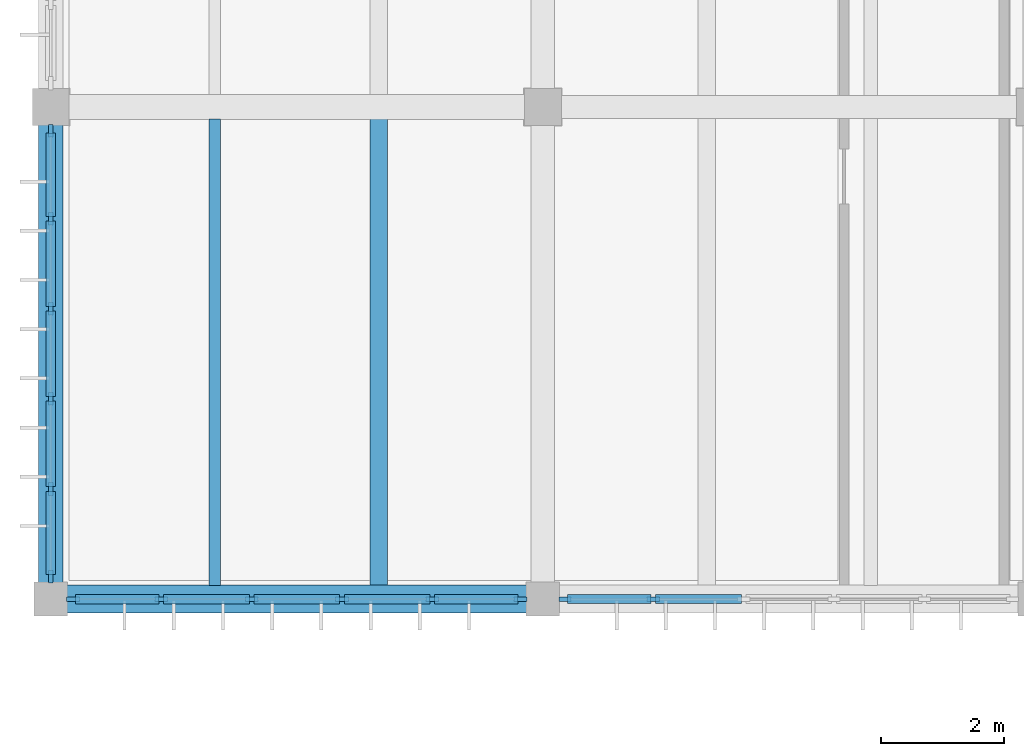
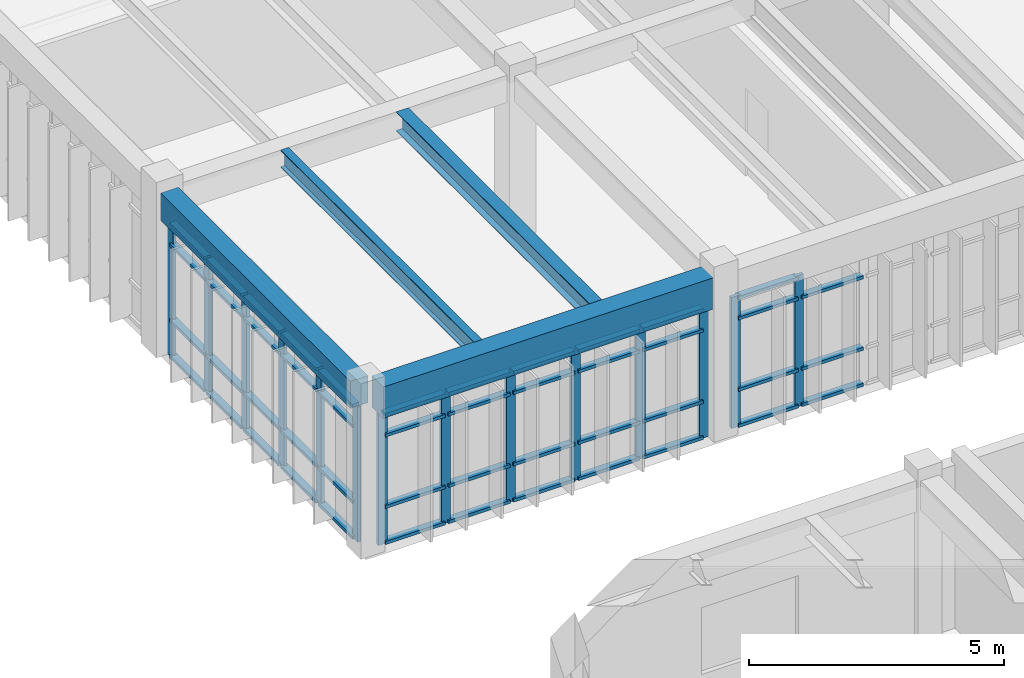
# One storey, part 7 of 67: 61 members, 4 beams, 3 elements without a shape of their own.
"""IFC4 building model written with IfcOpenShell, lengths in metres."""

from ifc_helpers import new_model, si_unit, direction, frame, origin, origin_2d, place, context, subcontext, project, spatial, rectangle, i_section, extrude, material, material_profile, profile_set, type_object, element, aggregate, save


model = new_model("IFC4")

# Units and contexts
model_context = context("Model", 3, precision=1e-05, world=origin(), true_north=direction((0.0, 1.0)))
body_context = subcontext(model_context, "Body", "Model", "MODEL_VIEW")
ifc_project = project(units=[si_unit("LENGTHUNIT", "METRE"), si_unit("AREAUNIT", "SQUARE_METRE"), si_unit("VOLUMEUNIT", "CUBIC_METRE"), si_unit("PLANEANGLEUNIT", "RADIAN"), si_unit("MASSUNIT", "GRAM", prefix="KILO")], contexts=[model_context])

# Site, building, storey
site_placement = place(None, origin())
site = spatial("IfcSite", under=ifc_project, at=site_placement, CompositionType="ELEMENT")
building_placement = place(site_placement, origin())
building = spatial("IfcBuilding", under=site, at=building_placement, Name="Tlaxcora Railside Police Headquarters", CompositionType="ELEMENT")
storey_placement = place(building_placement, frame((0.0, 0.0, 4.800048828125)))
storey = spatial("IfcBuildingStorey", under=building, at=storey_placement, Name="L01", CompositionType="ELEMENT", Elevation=4.800048828125)

# Curtain wall, members
ifc_material_1 = material(Name="Thermally broken low-E insulated glazing", Category="glass")
curtain_wall_type_1 = type_object("IfcCurtainWallType", Name="Unitised Curtain Wall Assembly CW-38", PredefinedType="NOTDEFINED", material=ifc_material_1)
curtain_wall_1_placement = place(storey_placement, origin())
curtain_wall_1 = element("IfcCurtainWall", 1, at=curtain_wall_1_placement, inside=storey, type_object=curtain_wall_type_1, Name="V5 L01 curtain wall 29", PredefinedType="NOTDEFINED")
ifc_material_2 = material(Name="Anodised aluminium framing", Category="aluminium")
ifc_material_profile_1 = material_profile(ifc_material_2, rectangle(XDim=0.074951171875, YDim=0.205078125, at=origin_2d()), Name="AL75X205")
ifc_profile_set_1 = profile_set([ifc_material_profile_1], Name="Anodised aluminium framing")
member_type_1 = type_object("IfcMemberType", Name="Curtain Wall Mullion CW-32", PredefinedType="MULLION", material=ifc_profile_set_1)
member_1_placement = place(storey_placement, frame((5.5625, 44.0, 0.0), z_axis=(0.0, 0.0, 1.0), x_axis=(0.0, 1.0, 0.0)))
member_1 = element("IfcMember", 2, at=member_1_placement, type_object=member_type_1, Name="CW mullion 1", PredefinedType="MULLION", context=body_context, shape_type="SweptSolid", body=[
    extrude(rectangle(XDim=0.074951171875, YDim=0.205078125, at=origin_2d()), origin(), (0.0, 0.0, 1.0), 3.139892578125),
])
member_2_placement = place(storey_placement, frame((6.9951171875, 44.0, 0.0), z_axis=(0.0, 0.0, 1.0), x_axis=(0.0, 1.0, 0.0)))
member_2 = element("IfcMember", 3, at=member_2_placement, type_object=member_type_1, Name="CW mullion 2", PredefinedType="MULLION", context=body_context, shape_type="SweptSolid", body=[
    extrude(rectangle(XDim=0.074951171875, YDim=0.205078125, at=origin_2d()), origin(), (0.0, 0.0, 1.0), 3.139892578125),
])
member_3_placement = place(storey_placement, frame((8.465087890625, 44.0, 0.0), z_axis=(0.0, 0.0, 1.0), x_axis=(0.0, 1.0, 0.0)))
member_3 = element("IfcMember", 4, at=member_3_placement, type_object=member_type_1, Name="CW mullion 3", PredefinedType="MULLION", context=body_context, shape_type="SweptSolid", body=[
    extrude(rectangle(XDim=0.074951171875, YDim=0.205078125, at=origin_2d()), origin(), (0.0, 0.0, 1.0), 3.139892578125),
])
member_4_placement = place(storey_placement, frame((9.93505859375, 44.0, 0.0), z_axis=(0.0, 0.0, 1.0), x_axis=(0.0, 1.0, 0.0)))
member_4 = element("IfcMember", 5, at=member_4_placement, type_object=member_type_1, Name="CW mullion 4", PredefinedType="MULLION", context=body_context, shape_type="SweptSolid", body=[
    extrude(rectangle(XDim=0.074951171875, YDim=0.205078125, at=origin_2d()), origin(), (0.0, 0.0, 1.0), 3.139892578125),
])
member_5_placement = place(storey_placement, frame((11.405029296875, 44.0, 0.0), z_axis=(0.0, 0.0, 1.0), x_axis=(0.0, 1.0, 0.0)))
member_5 = element("IfcMember", 6, at=member_5_placement, type_object=member_type_1, Name="CW mullion 5", PredefinedType="MULLION", context=body_context, shape_type="SweptSolid", body=[
    extrude(rectangle(XDim=0.074951171875, YDim=0.205078125, at=origin_2d()), origin(), (0.0, 0.0, 1.0), 3.139892578125),
])
member_6_placement = place(storey_placement, frame((12.83740234375, 44.0, 0.0), z_axis=(0.0, 0.0, 1.0), x_axis=(0.0, 1.0, 0.0)))
member_6 = element("IfcMember", 7, at=member_6_placement, type_object=member_type_1, Name="CW mullion 6", PredefinedType="MULLION", context=body_context, shape_type="SweptSolid", body=[
    extrude(rectangle(XDim=0.074951171875, YDim=0.205078125, at=origin_2d()), origin(), (0.0, 0.0, 1.0), 3.139892578125),
])

curtain_wall_2_placement = place(storey_placement, origin())
curtain_wall_2 = element("IfcCurtainWall", 8, at=curtain_wall_2_placement, inside=storey, type_object=curtain_wall_type_1, Name="V5 L01 curtain wall 49", PredefinedType="NOTDEFINED")
member_7_placement = place(storey_placement, frame((5.199951171875, 51.612548828125, 0.0), z_axis=(0.0, 0.0, 1.0), x_axis=(1.0, 0.0, 0.0)))
member_7 = element("IfcMember", 9, at=member_7_placement, type_object=member_type_1, Name="CW mullion 1", PredefinedType="MULLION", context=body_context, shape_type="SweptSolid", body=[
    extrude(rectangle(XDim=0.074951171875, YDim=0.205078125, at=origin_2d()), origin(), (0.0, 0.0, 1.0), 3.239990234375),
])
member_8_placement = place(storey_placement, frame((5.199951171875, 50.18505859375, 0.0), z_axis=(0.0, 0.0, 1.0), x_axis=(1.0, 0.0, 0.0)))
member_8 = element("IfcMember", 10, at=member_8_placement, type_object=member_type_1, Name="CW mullion 2", PredefinedType="MULLION", context=body_context, shape_type="SweptSolid", body=[
    extrude(rectangle(XDim=0.074951171875, YDim=0.205078125, at=origin_2d()), origin(), (0.0, 0.0, 1.0), 3.239990234375),
])
member_9_placement = place(storey_placement, frame((5.199951171875, 48.719970703125, 0.0), z_axis=(0.0, 0.0, 1.0), x_axis=(1.0, 0.0, 0.0)))
member_9 = element("IfcMember", 11, at=member_9_placement, type_object=member_type_1, Name="CW mullion 3", PredefinedType="MULLION", context=body_context, shape_type="SweptSolid", body=[
    extrude(rectangle(XDim=0.074951171875, YDim=0.205078125, at=origin_2d()), origin(), (0.0, 0.0, 1.0), 3.239990234375),
])
member_10_placement = place(storey_placement, frame((5.199951171875, 47.2548828125, 0.0), z_axis=(0.0, 0.0, 1.0), x_axis=(1.0, 0.0, 0.0)))
member_10 = element("IfcMember", 12, at=member_10_placement, type_object=member_type_1, Name="CW mullion 4", PredefinedType="MULLION", context=body_context, shape_type="SweptSolid", body=[
    extrude(rectangle(XDim=0.074951171875, YDim=0.205078125, at=origin_2d()), origin(), (0.0, 0.0, 1.0), 3.239990234375),
])
member_11_placement = place(storey_placement, frame((5.199951171875, 45.7900390625, 0.0), z_axis=(0.0, 0.0, 1.0), x_axis=(1.0, 0.0, 0.0)))
member_11 = element("IfcMember", 13, at=member_11_placement, type_object=member_type_1, Name="CW mullion 5", PredefinedType="MULLION", context=body_context, shape_type="SweptSolid", body=[
    extrude(rectangle(XDim=0.074951171875, YDim=0.205078125, at=origin_2d()), origin(), (0.0, 0.0, 1.0), 3.239990234375),
])
member_12_placement = place(storey_placement, frame((5.199951171875, 44.362548828125, 0.0), z_axis=(0.0, 0.0, 1.0), x_axis=(1.0, 0.0, 0.0)))
member_12 = element("IfcMember", 14, at=member_12_placement, type_object=member_type_1, Name="CW mullion 6", PredefinedType="MULLION", context=body_context, shape_type="SweptSolid", body=[
    extrude(rectangle(XDim=0.074951171875, YDim=0.205078125, at=origin_2d()), origin(), (0.0, 0.0, 1.0), 3.239990234375),
])

curtain_wall_type_2 = type_object("IfcCurtainWallType", Name="Unitised Curtain Wall Assembly CW-15", PredefinedType="NOTDEFINED", material=ifc_material_1)
curtain_wall_3_placement = place(storey_placement, origin())
curtain_wall_3 = element("IfcCurtainWall", 15, at=curtain_wall_3_placement, inside=storey, type_object=curtain_wall_type_2, Name="V5 L01 curtain wall 30", PredefinedType="NOTDEFINED")
ifc_material_profile_2 = material_profile(ifc_material_2, rectangle(XDim=0.074951171875, YDim=0.199951171875, at=origin_2d()), Name="AL75X200")
ifc_profile_set_2 = profile_set([ifc_material_profile_2], Name="Anodised aluminium framing")
member_type_2 = type_object("IfcMemberType", Name="Curtain Wall Mullion CW-58", PredefinedType="MULLION", material=ifc_profile_set_2)
member_13_placement = place(storey_placement, frame((13.5625, 44.0, 0.0), z_axis=(0.0, 0.0, 1.0), x_axis=(0.0, 1.0, 0.0)))
member_13 = element("IfcMember", 16, at=member_13_placement, type_object=member_type_2, Name="CW mullion 1", PredefinedType="MULLION", context=body_context, shape_type="SweptSolid", body=[
    extrude(rectangle(XDim=0.074951171875, YDim=0.199951171875, at=origin_2d()), origin(), (0.0, 0.0, 1.0), 3.139892578125),
])
member_14_placement = place(storey_placement, frame((14.9951171875, 44.0, 0.0), z_axis=(0.0, 0.0, 1.0), x_axis=(0.0, 1.0, 0.0)))
member_14 = element("IfcMember", 17, at=member_14_placement, type_object=member_type_2, Name="CW mullion 2", PredefinedType="MULLION", context=body_context, shape_type="SweptSolid", body=[
    extrude(rectangle(XDim=0.074951171875, YDim=0.199951171875, at=origin_2d()), origin(), (0.0, 0.0, 1.0), 3.139892578125),
])
ifc_material_profile_3 = material_profile(ifc_material_2, rectangle(XDim=0.14990234375, YDim=0.074951171875, at=origin_2d()), Name="AL75X150")
ifc_profile_set_3 = profile_set([ifc_material_profile_3], Name="Anodised aluminium framing")
member_type_3 = type_object("IfcMemberType", Name="Curtain Wall Transom CW-28", PredefinedType="USERDEFINED", material=ifc_profile_set_3)
member_15_placement = place(storey_placement, frame((13.60009765625, 44.0, 0.037353515625), z_axis=(1.0, 0.0, 0.0), x_axis=(0.0, 1.0, 0.0)))
member_15 = element("IfcMember", 18, at=member_15_placement, type_object=member_type_3, Name="CW transom 1.1", ObjectType="TRANSOM", PredefinedType="USERDEFINED", context=body_context, shape_type="SweptSolid", body=[
    extrude(rectangle(XDim=0.14990234375, YDim=0.074951171875, at=origin_2d()), origin(), (0.0, 0.0, 1.0), 1.357421875),
])
member_16_placement = place(storey_placement, frame((13.60009765625, 44.0, 0.89990234375), z_axis=(1.0, 0.0, 0.0), x_axis=(0.0, 1.0, 0.0)))
member_16 = element("IfcMember", 19, at=member_16_placement, type_object=member_type_3, Name="CW transom 1.2", ObjectType="TRANSOM", PredefinedType="USERDEFINED", context=body_context, shape_type="SweptSolid", body=[
    extrude(rectangle(XDim=0.14990234375, YDim=0.074951171875, at=origin_2d()), origin(), (0.0, 0.0, 1.0), 1.357421875),
])
member_17_placement = place(storey_placement, frame((13.60009765625, 44.0, 2.60986328125), z_axis=(1.0, 0.0, 0.0), x_axis=(0.0, 1.0, 0.0)))
member_17 = element("IfcMember", 20, at=member_17_placement, type_object=member_type_3, Name="CW transom 1.3", ObjectType="TRANSOM", PredefinedType="USERDEFINED", context=body_context, shape_type="SweptSolid", body=[
    extrude(rectangle(XDim=0.14990234375, YDim=0.074951171875, at=origin_2d()), origin(), (0.0, 0.0, 1.0), 1.357421875),
])
member_18_placement = place(storey_placement, frame((13.60009765625, 44.0, 3.1025390625), z_axis=(1.0, 0.0, 0.0), x_axis=(0.0, 1.0, 0.0)))
member_18 = element("IfcMember", 21, at=member_18_placement, type_object=member_type_3, Name="CW transom 1.4", ObjectType="TRANSOM", PredefinedType="USERDEFINED", context=body_context, shape_type="SweptSolid", body=[
    extrude(rectangle(XDim=0.14990234375, YDim=0.074951171875, at=origin_2d()), origin(), (0.0, 0.0, 1.0), 1.357421875),
])
member_19_placement = place(storey_placement, frame((15.032470703125, 44.0, 0.037353515625), z_axis=(1.0, 0.0, 0.0), x_axis=(0.0, 1.0, 0.0)))
member_19 = element("IfcMember", 22, at=member_19_placement, type_object=member_type_3, Name="CW transom 2.1", ObjectType="TRANSOM", PredefinedType="USERDEFINED", context=body_context, shape_type="SweptSolid", body=[
    extrude(rectangle(XDim=0.14990234375, YDim=0.074951171875, at=origin_2d()), origin(), (0.0, 0.0, 1.0), 1.39501953125),
])
member_20_placement = place(storey_placement, frame((15.032470703125, 44.0, 0.89990234375), z_axis=(1.0, 0.0, 0.0), x_axis=(0.0, 1.0, 0.0)))
member_20 = element("IfcMember", 23, at=member_20_placement, type_object=member_type_3, Name="CW transom 2.2", ObjectType="TRANSOM", PredefinedType="USERDEFINED", context=body_context, shape_type="SweptSolid", body=[
    extrude(rectangle(XDim=0.14990234375, YDim=0.074951171875, at=origin_2d()), origin(), (0.0, 0.0, 1.0), 1.39501953125),
])
member_21_placement = place(storey_placement, frame((15.032470703125, 44.0, 2.60986328125), z_axis=(1.0, 0.0, 0.0), x_axis=(0.0, 1.0, 0.0)))
member_21 = element("IfcMember", 24, at=member_21_placement, type_object=member_type_3, Name="CW transom 2.3", ObjectType="TRANSOM", PredefinedType="USERDEFINED", context=body_context, shape_type="SweptSolid", body=[
    extrude(rectangle(XDim=0.14990234375, YDim=0.074951171875, at=origin_2d()), origin(), (0.0, 0.0, 1.0), 1.39501953125),
])
aggregate(curtain_wall_3, [member_13, member_14, member_15, member_16, member_17, member_18, member_19, member_20, member_21])

# Member
ifc_material_profile_4 = material_profile(ifc_material_2, rectangle(XDim=0.155029296875, YDim=0.074951171875, at=origin_2d()), Name="AL75X155")
ifc_profile_set_4 = profile_set([ifc_material_profile_4], Name="Anodised aluminium framing")
member_type_4 = type_object("IfcMemberType", Name="Curtain Wall Transom CW-30", PredefinedType="USERDEFINED", material=ifc_profile_set_4)
member_22_placement = place(storey_placement, frame((5.60009765625, 44.0, 0.037353515625), z_axis=(1.0, 0.0, 0.0), x_axis=(0.0, 1.0, 0.0)))
member_22 = element("IfcMember", 25, at=member_22_placement, type_object=member_type_4, Name="CW transom 1.1", ObjectType="TRANSOM", PredefinedType="USERDEFINED", context=body_context, shape_type="SweptSolid", body=[
    extrude(rectangle(XDim=0.155029296875, YDim=0.074951171875, at=origin_2d()), origin(), (0.0, 0.0, 1.0), 1.357421875),
])

member_23_placement = place(storey_placement, frame((5.60009765625, 44.0, 0.89990234375), z_axis=(1.0, 0.0, 0.0), x_axis=(0.0, 1.0, 0.0)))
member_23 = element("IfcMember", 26, at=member_23_placement, type_object=member_type_4, Name="CW transom 1.2", ObjectType="TRANSOM", PredefinedType="USERDEFINED", context=body_context, shape_type="SweptSolid", body=[
    extrude(rectangle(XDim=0.155029296875, YDim=0.074951171875, at=origin_2d()), origin(), (0.0, 0.0, 1.0), 1.357421875),
])

member_24_placement = place(storey_placement, frame((5.60009765625, 44.0, 2.60986328125), z_axis=(1.0, 0.0, 0.0), x_axis=(0.0, 1.0, 0.0)))
member_24 = element("IfcMember", 27, at=member_24_placement, type_object=member_type_4, Name="CW transom 1.3", ObjectType="TRANSOM", PredefinedType="USERDEFINED", context=body_context, shape_type="SweptSolid", body=[
    extrude(rectangle(XDim=0.155029296875, YDim=0.074951171875, at=origin_2d()), origin(), (0.0, 0.0, 1.0), 1.357421875),
])

member_25_placement = place(storey_placement, frame((5.60009765625, 44.0, 3.1025390625), z_axis=(1.0, 0.0, 0.0), x_axis=(0.0, 1.0, 0.0)))
member_25 = element("IfcMember", 28, at=member_25_placement, type_object=member_type_4, Name="CW transom 1.4", ObjectType="TRANSOM", PredefinedType="USERDEFINED", context=body_context, shape_type="SweptSolid", body=[
    extrude(rectangle(XDim=0.155029296875, YDim=0.074951171875, at=origin_2d()), origin(), (0.0, 0.0, 1.0), 1.357421875),
])

member_26_placement = place(storey_placement, frame((7.032470703125, 44.0, 0.037353515625), z_axis=(1.0, 0.0, 0.0), x_axis=(0.0, 1.0, 0.0)))
member_26 = element("IfcMember", 29, at=member_26_placement, type_object=member_type_4, Name="CW transom 2.1", ObjectType="TRANSOM", PredefinedType="USERDEFINED", context=body_context, shape_type="SweptSolid", body=[
    extrude(rectangle(XDim=0.155029296875, YDim=0.074951171875, at=origin_2d()), origin(), (0.0, 0.0, 1.0), 1.39501953125),
])

member_27_placement = place(storey_placement, frame((7.032470703125, 44.0, 0.89990234375), z_axis=(1.0, 0.0, 0.0), x_axis=(0.0, 1.0, 0.0)))
member_27 = element("IfcMember", 30, at=member_27_placement, type_object=member_type_4, Name="CW transom 2.2", ObjectType="TRANSOM", PredefinedType="USERDEFINED", context=body_context, shape_type="SweptSolid", body=[
    extrude(rectangle(XDim=0.155029296875, YDim=0.074951171875, at=origin_2d()), origin(), (0.0, 0.0, 1.0), 1.39501953125),
])

member_28_placement = place(storey_placement, frame((7.032470703125, 44.0, 2.60986328125), z_axis=(1.0, 0.0, 0.0), x_axis=(0.0, 1.0, 0.0)))
member_28 = element("IfcMember", 31, at=member_28_placement, type_object=member_type_4, Name="CW transom 2.3", ObjectType="TRANSOM", PredefinedType="USERDEFINED", context=body_context, shape_type="SweptSolid", body=[
    extrude(rectangle(XDim=0.155029296875, YDim=0.074951171875, at=origin_2d()), origin(), (0.0, 0.0, 1.0), 1.39501953125),
])

member_29_placement = place(storey_placement, frame((7.032470703125, 44.0, 3.1025390625), z_axis=(1.0, 0.0, 0.0), x_axis=(0.0, 1.0, 0.0)))
member_29 = element("IfcMember", 32, at=member_29_placement, type_object=member_type_4, Name="CW transom 2.4", ObjectType="TRANSOM", PredefinedType="USERDEFINED", context=body_context, shape_type="SweptSolid", body=[
    extrude(rectangle(XDim=0.155029296875, YDim=0.074951171875, at=origin_2d()), origin(), (0.0, 0.0, 1.0), 1.39501953125),
])

member_30_placement = place(storey_placement, frame((8.50244140625, 44.0, 0.037353515625), z_axis=(1.0, 0.0, 0.0), x_axis=(0.0, 1.0, 0.0)))
member_30 = element("IfcMember", 33, at=member_30_placement, type_object=member_type_4, Name="CW transom 3.1", ObjectType="TRANSOM", PredefinedType="USERDEFINED", context=body_context, shape_type="SweptSolid", body=[
    extrude(rectangle(XDim=0.155029296875, YDim=0.074951171875, at=origin_2d()), origin(), (0.0, 0.0, 1.0), 1.39501953125),
])

member_31_placement = place(storey_placement, frame((8.50244140625, 44.0, 0.89990234375), z_axis=(1.0, 0.0, 0.0), x_axis=(0.0, 1.0, 0.0)))
member_31 = element("IfcMember", 34, at=member_31_placement, type_object=member_type_4, Name="CW transom 3.2", ObjectType="TRANSOM", PredefinedType="USERDEFINED", context=body_context, shape_type="SweptSolid", body=[
    extrude(rectangle(XDim=0.155029296875, YDim=0.074951171875, at=origin_2d()), origin(), (0.0, 0.0, 1.0), 1.39501953125),
])

member_32_placement = place(storey_placement, frame((8.50244140625, 44.0, 2.60986328125), z_axis=(1.0, 0.0, 0.0), x_axis=(0.0, 1.0, 0.0)))
member_32 = element("IfcMember", 35, at=member_32_placement, type_object=member_type_4, Name="CW transom 3.3", ObjectType="TRANSOM", PredefinedType="USERDEFINED", context=body_context, shape_type="SweptSolid", body=[
    extrude(rectangle(XDim=0.155029296875, YDim=0.074951171875, at=origin_2d()), origin(), (0.0, 0.0, 1.0), 1.39501953125),
])

member_33_placement = place(storey_placement, frame((8.50244140625, 44.0, 3.1025390625), z_axis=(1.0, 0.0, 0.0), x_axis=(0.0, 1.0, 0.0)))
member_33 = element("IfcMember", 36, at=member_33_placement, type_object=member_type_4, Name="CW transom 3.4", ObjectType="TRANSOM", PredefinedType="USERDEFINED", context=body_context, shape_type="SweptSolid", body=[
    extrude(rectangle(XDim=0.155029296875, YDim=0.074951171875, at=origin_2d()), origin(), (0.0, 0.0, 1.0), 1.39501953125),
])

member_34_placement = place(storey_placement, frame((9.972412109375, 44.0, 0.037353515625), z_axis=(1.0, 0.0, 0.0), x_axis=(0.0, 1.0, 0.0)))
member_34 = element("IfcMember", 37, at=member_34_placement, type_object=member_type_4, Name="CW transom 4.1", ObjectType="TRANSOM", PredefinedType="USERDEFINED", context=body_context, shape_type="SweptSolid", body=[
    extrude(rectangle(XDim=0.155029296875, YDim=0.074951171875, at=origin_2d()), origin(), (0.0, 0.0, 1.0), 1.39501953125),
])

member_35_placement = place(storey_placement, frame((9.972412109375, 44.0, 0.89990234375), z_axis=(1.0, 0.0, 0.0), x_axis=(0.0, 1.0, 0.0)))
member_35 = element("IfcMember", 38, at=member_35_placement, type_object=member_type_4, Name="CW transom 4.2", ObjectType="TRANSOM", PredefinedType="USERDEFINED", context=body_context, shape_type="SweptSolid", body=[
    extrude(rectangle(XDim=0.155029296875, YDim=0.074951171875, at=origin_2d()), origin(), (0.0, 0.0, 1.0), 1.39501953125),
])

member_36_placement = place(storey_placement, frame((9.972412109375, 44.0, 2.60986328125), z_axis=(1.0, 0.0, 0.0), x_axis=(0.0, 1.0, 0.0)))
member_36 = element("IfcMember", 39, at=member_36_placement, type_object=member_type_4, Name="CW transom 4.3", ObjectType="TRANSOM", PredefinedType="USERDEFINED", context=body_context, shape_type="SweptSolid", body=[
    extrude(rectangle(XDim=0.155029296875, YDim=0.074951171875, at=origin_2d()), origin(), (0.0, 0.0, 1.0), 1.39501953125),
])

member_37_placement = place(storey_placement, frame((9.972412109375, 44.0, 3.1025390625), z_axis=(1.0, 0.0, 0.0), x_axis=(0.0, 1.0, 0.0)))
member_37 = element("IfcMember", 40, at=member_37_placement, type_object=member_type_4, Name="CW transom 4.4", ObjectType="TRANSOM", PredefinedType="USERDEFINED", context=body_context, shape_type="SweptSolid", body=[
    extrude(rectangle(XDim=0.155029296875, YDim=0.074951171875, at=origin_2d()), origin(), (0.0, 0.0, 1.0), 1.39501953125),
])

member_38_placement = place(storey_placement, frame((11.4423828125, 44.0, 0.037353515625), z_axis=(1.0, 0.0, 0.0), x_axis=(0.0, 1.0, 0.0)))
member_38 = element("IfcMember", 41, at=member_38_placement, type_object=member_type_4, Name="CW transom 5.1", ObjectType="TRANSOM", PredefinedType="USERDEFINED", context=body_context, shape_type="SweptSolid", body=[
    extrude(rectangle(XDim=0.155029296875, YDim=0.074951171875, at=origin_2d()), origin(), (0.0, 0.0, 1.0), 1.357666015625),
])

member_39_placement = place(storey_placement, frame((11.4423828125, 44.0, 0.89990234375), z_axis=(1.0, 0.0, 0.0), x_axis=(0.0, 1.0, 0.0)))
member_39 = element("IfcMember", 42, at=member_39_placement, type_object=member_type_4, Name="CW transom 5.2", ObjectType="TRANSOM", PredefinedType="USERDEFINED", context=body_context, shape_type="SweptSolid", body=[
    extrude(rectangle(XDim=0.155029296875, YDim=0.074951171875, at=origin_2d()), origin(), (0.0, 0.0, 1.0), 1.357666015625),
])

member_40_placement = place(storey_placement, frame((11.4423828125, 44.0, 2.60986328125), z_axis=(1.0, 0.0, 0.0), x_axis=(0.0, 1.0, 0.0)))
member_40 = element("IfcMember", 43, at=member_40_placement, type_object=member_type_4, Name="CW transom 5.3", ObjectType="TRANSOM", PredefinedType="USERDEFINED", context=body_context, shape_type="SweptSolid", body=[
    extrude(rectangle(XDim=0.155029296875, YDim=0.074951171875, at=origin_2d()), origin(), (0.0, 0.0, 1.0), 1.357666015625),
])

member_41_placement = place(storey_placement, frame((11.4423828125, 44.0, 3.1025390625), z_axis=(1.0, 0.0, 0.0), x_axis=(0.0, 1.0, 0.0)))
member_41 = element("IfcMember", 44, at=member_41_placement, type_object=member_type_4, Name="CW transom 5.4", ObjectType="TRANSOM", PredefinedType="USERDEFINED", context=body_context, shape_type="SweptSolid", body=[
    extrude(rectangle(XDim=0.155029296875, YDim=0.074951171875, at=origin_2d()), origin(), (0.0, 0.0, 1.0), 1.357666015625),
])

aggregate(curtain_wall_1, [member_1, member_2, member_3, member_4, member_5, member_6, member_22, member_23, member_24, member_25, member_26, member_27, member_28, member_29, member_30, member_31, member_32, member_33, member_34, member_35, member_36, member_37, member_38, member_39, member_40, member_41])

member_42_placement = place(storey_placement, frame((5.199951171875, 51.574951171875, 0.037353515625), z_axis=(0.0, -1.0, 0.0), x_axis=(1.0, 0.0, 0.0)))
member_42 = element("IfcMember", 45, at=member_42_placement, type_object=member_type_4, Name="CW transom 1.1", ObjectType="TRANSOM", PredefinedType="USERDEFINED", context=body_context, shape_type="SweptSolid", body=[
    extrude(rectangle(XDim=0.155029296875, YDim=0.074951171875, at=origin_2d()), origin(), (0.0, 0.0, 1.0), 1.3525390625),
])

member_43_placement = place(storey_placement, frame((5.199951171875, 51.574951171875, 0.89990234375), z_axis=(0.0, -1.0, 0.0), x_axis=(1.0, 0.0, 0.0)))
member_43 = element("IfcMember", 46, at=member_43_placement, type_object=member_type_4, Name="CW transom 1.2", ObjectType="TRANSOM", PredefinedType="USERDEFINED", context=body_context, shape_type="SweptSolid", body=[
    extrude(rectangle(XDim=0.155029296875, YDim=0.074951171875, at=origin_2d()), origin(), (0.0, 0.0, 1.0), 1.3525390625),
])

member_44_placement = place(storey_placement, frame((5.199951171875, 51.574951171875, 2.7099609375), z_axis=(0.0, -1.0, 0.0), x_axis=(1.0, 0.0, 0.0)))
member_44 = element("IfcMember", 47, at=member_44_placement, type_object=member_type_4, Name="CW transom 1.3", ObjectType="TRANSOM", PredefinedType="USERDEFINED", context=body_context, shape_type="SweptSolid", body=[
    extrude(rectangle(XDim=0.155029296875, YDim=0.074951171875, at=origin_2d()), origin(), (0.0, 0.0, 1.0), 1.3525390625),
])

member_45_placement = place(storey_placement, frame((5.199951171875, 51.574951171875, 3.202392578125), z_axis=(0.0, -1.0, 0.0), x_axis=(1.0, 0.0, 0.0)))
member_45 = element("IfcMember", 48, at=member_45_placement, type_object=member_type_4, Name="CW transom 1.4", ObjectType="TRANSOM", PredefinedType="USERDEFINED", context=body_context, shape_type="SweptSolid", body=[
    extrude(rectangle(XDim=0.155029296875, YDim=0.074951171875, at=origin_2d()), origin(), (0.0, 0.0, 1.0), 1.3525390625),
])

member_46_placement = place(storey_placement, frame((5.199951171875, 50.1474609375, 0.037353515625), z_axis=(0.0, -1.0, 0.0), x_axis=(1.0, 0.0, 0.0)))
member_46 = element("IfcMember", 49, at=member_46_placement, type_object=member_type_4, Name="CW transom 2.1", ObjectType="TRANSOM", PredefinedType="USERDEFINED", context=body_context, shape_type="SweptSolid", body=[
    extrude(rectangle(XDim=0.155029296875, YDim=0.074951171875, at=origin_2d()), origin(), (0.0, 0.0, 1.0), 1.389892578125),
])

member_47_placement = place(storey_placement, frame((5.199951171875, 50.1474609375, 0.89990234375), z_axis=(0.0, -1.0, 0.0), x_axis=(1.0, 0.0, 0.0)))
member_47 = element("IfcMember", 50, at=member_47_placement, type_object=member_type_4, Name="CW transom 2.2", ObjectType="TRANSOM", PredefinedType="USERDEFINED", context=body_context, shape_type="SweptSolid", body=[
    extrude(rectangle(XDim=0.155029296875, YDim=0.074951171875, at=origin_2d()), origin(), (0.0, 0.0, 1.0), 1.389892578125),
])

member_48_placement = place(storey_placement, frame((5.199951171875, 50.1474609375, 2.7099609375), z_axis=(0.0, -1.0, 0.0), x_axis=(1.0, 0.0, 0.0)))
member_48 = element("IfcMember", 51, at=member_48_placement, type_object=member_type_4, Name="CW transom 2.3", ObjectType="TRANSOM", PredefinedType="USERDEFINED", context=body_context, shape_type="SweptSolid", body=[
    extrude(rectangle(XDim=0.155029296875, YDim=0.074951171875, at=origin_2d()), origin(), (0.0, 0.0, 1.0), 1.389892578125),
])

member_49_placement = place(storey_placement, frame((5.199951171875, 50.1474609375, 3.202392578125), z_axis=(0.0, -1.0, 0.0), x_axis=(1.0, 0.0, 0.0)))
member_49 = element("IfcMember", 52, at=member_49_placement, type_object=member_type_4, Name="CW transom 2.4", ObjectType="TRANSOM", PredefinedType="USERDEFINED", context=body_context, shape_type="SweptSolid", body=[
    extrude(rectangle(XDim=0.155029296875, YDim=0.074951171875, at=origin_2d()), origin(), (0.0, 0.0, 1.0), 1.389892578125),
])

member_50_placement = place(storey_placement, frame((5.199951171875, 48.6826171875, 0.037353515625), z_axis=(0.0, -1.0, 0.0), x_axis=(1.0, 0.0, 0.0)))
member_50 = element("IfcMember", 53, at=member_50_placement, type_object=member_type_4, Name="CW transom 3.1", ObjectType="TRANSOM", PredefinedType="USERDEFINED", context=body_context, shape_type="SweptSolid", body=[
    extrude(rectangle(XDim=0.155029296875, YDim=0.074951171875, at=origin_2d()), origin(), (0.0, 0.0, 1.0), 1.39013671875),
])

member_51_placement = place(storey_placement, frame((5.199951171875, 48.6826171875, 0.89990234375), z_axis=(0.0, -1.0, 0.0), x_axis=(1.0, 0.0, 0.0)))
member_51 = element("IfcMember", 54, at=member_51_placement, type_object=member_type_4, Name="CW transom 3.2", ObjectType="TRANSOM", PredefinedType="USERDEFINED", context=body_context, shape_type="SweptSolid", body=[
    extrude(rectangle(XDim=0.155029296875, YDim=0.074951171875, at=origin_2d()), origin(), (0.0, 0.0, 1.0), 1.39013671875),
])

member_52_placement = place(storey_placement, frame((5.199951171875, 48.6826171875, 2.7099609375), z_axis=(0.0, -1.0, 0.0), x_axis=(1.0, 0.0, 0.0)))
member_52 = element("IfcMember", 55, at=member_52_placement, type_object=member_type_4, Name="CW transom 3.3", ObjectType="TRANSOM", PredefinedType="USERDEFINED", context=body_context, shape_type="SweptSolid", body=[
    extrude(rectangle(XDim=0.155029296875, YDim=0.074951171875, at=origin_2d()), origin(), (0.0, 0.0, 1.0), 1.39013671875),
])

member_53_placement = place(storey_placement, frame((5.199951171875, 48.6826171875, 3.202392578125), z_axis=(0.0, -1.0, 0.0), x_axis=(1.0, 0.0, 0.0)))
member_53 = element("IfcMember", 56, at=member_53_placement, type_object=member_type_4, Name="CW transom 3.4", ObjectType="TRANSOM", PredefinedType="USERDEFINED", context=body_context, shape_type="SweptSolid", body=[
    extrude(rectangle(XDim=0.155029296875, YDim=0.074951171875, at=origin_2d()), origin(), (0.0, 0.0, 1.0), 1.39013671875),
])

member_54_placement = place(storey_placement, frame((5.199951171875, 47.217529296875, 0.037353515625), z_axis=(0.0, -1.0, 0.0), x_axis=(1.0, 0.0, 0.0)))
member_54 = element("IfcMember", 57, at=member_54_placement, type_object=member_type_4, Name="CW transom 4.1", ObjectType="TRANSOM", PredefinedType="USERDEFINED", context=body_context, shape_type="SweptSolid", body=[
    extrude(rectangle(XDim=0.155029296875, YDim=0.074951171875, at=origin_2d()), origin(), (0.0, 0.0, 1.0), 1.39013671875),
])

member_55_placement = place(storey_placement, frame((5.199951171875, 47.217529296875, 0.89990234375), z_axis=(0.0, -1.0, 0.0), x_axis=(1.0, 0.0, 0.0)))
member_55 = element("IfcMember", 58, at=member_55_placement, type_object=member_type_4, Name="CW transom 4.2", ObjectType="TRANSOM", PredefinedType="USERDEFINED", context=body_context, shape_type="SweptSolid", body=[
    extrude(rectangle(XDim=0.155029296875, YDim=0.074951171875, at=origin_2d()), origin(), (0.0, 0.0, 1.0), 1.39013671875),
])

member_56_placement = place(storey_placement, frame((5.199951171875, 47.217529296875, 2.7099609375), z_axis=(0.0, -1.0, 0.0), x_axis=(1.0, 0.0, 0.0)))
member_56 = element("IfcMember", 59, at=member_56_placement, type_object=member_type_4, Name="CW transom 4.3", ObjectType="TRANSOM", PredefinedType="USERDEFINED", context=body_context, shape_type="SweptSolid", body=[
    extrude(rectangle(XDim=0.155029296875, YDim=0.074951171875, at=origin_2d()), origin(), (0.0, 0.0, 1.0), 1.39013671875),
])

member_57_placement = place(storey_placement, frame((5.199951171875, 47.217529296875, 3.202392578125), z_axis=(0.0, -1.0, 0.0), x_axis=(1.0, 0.0, 0.0)))
member_57 = element("IfcMember", 60, at=member_57_placement, type_object=member_type_4, Name="CW transom 4.4", ObjectType="TRANSOM", PredefinedType="USERDEFINED", context=body_context, shape_type="SweptSolid", body=[
    extrude(rectangle(XDim=0.155029296875, YDim=0.074951171875, at=origin_2d()), origin(), (0.0, 0.0, 1.0), 1.39013671875),
])

member_58_placement = place(storey_placement, frame((5.199951171875, 45.75244140625, 0.037353515625), z_axis=(0.0, -1.0, 0.0), x_axis=(1.0, 0.0, 0.0)))
member_58 = element("IfcMember", 61, at=member_58_placement, type_object=member_type_4, Name="CW transom 5.1", ObjectType="TRANSOM", PredefinedType="USERDEFINED", context=body_context, shape_type="SweptSolid", body=[
    extrude(rectangle(XDim=0.155029296875, YDim=0.074951171875, at=origin_2d()), origin(), (0.0, 0.0, 1.0), 1.3525390625),
])

member_59_placement = place(storey_placement, frame((5.199951171875, 45.75244140625, 0.89990234375), z_axis=(0.0, -1.0, 0.0), x_axis=(1.0, 0.0, 0.0)))
member_59 = element("IfcMember", 62, at=member_59_placement, type_object=member_type_4, Name="CW transom 5.2", ObjectType="TRANSOM", PredefinedType="USERDEFINED", context=body_context, shape_type="SweptSolid", body=[
    extrude(rectangle(XDim=0.155029296875, YDim=0.074951171875, at=origin_2d()), origin(), (0.0, 0.0, 1.0), 1.3525390625),
])

member_60_placement = place(storey_placement, frame((5.199951171875, 45.75244140625, 2.7099609375), z_axis=(0.0, -1.0, 0.0), x_axis=(1.0, 0.0, 0.0)))
member_60 = element("IfcMember", 63, at=member_60_placement, type_object=member_type_4, Name="CW transom 5.3", ObjectType="TRANSOM", PredefinedType="USERDEFINED", context=body_context, shape_type="SweptSolid", body=[
    extrude(rectangle(XDim=0.155029296875, YDim=0.074951171875, at=origin_2d()), origin(), (0.0, 0.0, 1.0), 1.3525390625),
])

member_61_placement = place(storey_placement, frame((5.199951171875, 45.75244140625, 3.202392578125), z_axis=(0.0, -1.0, 0.0), x_axis=(1.0, 0.0, 0.0)))
member_61 = element("IfcMember", 64, at=member_61_placement, type_object=member_type_4, Name="CW transom 5.4", ObjectType="TRANSOM", PredefinedType="USERDEFINED", context=body_context, shape_type="SweptSolid", body=[
    extrude(rectangle(XDim=0.155029296875, YDim=0.074951171875, at=origin_2d()), origin(), (0.0, 0.0, 1.0), 1.3525390625),
])

aggregate(curtain_wall_2, [member_7, member_8, member_9, member_10, member_11, member_12, member_42, member_43, member_44, member_45, member_46, member_47, member_48, member_49, member_50, member_51, member_52, member_53, member_54, member_55, member_56, member_57, member_58, member_59, member_60, member_61])

# Beams
ifc_material_3 = material(Name="Concrete C40/50", Category="concrete")
ifc_material_profile_5 = material_profile(ifc_material_3, rectangle(XDim=0.39990234375, YDim=0.64990234375, at=origin_2d()), Name="RC400X650")
ifc_profile_set_5 = profile_set([ifc_material_profile_5], Name="Concrete C40/50")
beam_type_1 = type_object("IfcBeamType", Name="Perimeter Spandrel Beam BM-46", PredefinedType="SPANDREL", material=ifc_profile_set_5)
beam_1_placement = place(storey_placement, frame((5.199951171875, 44.264892578125, 3.5849609375), z_axis=(0.0, 1.0, 0.0), x_axis=(-1.0, 0.0, 0.0)))
element("IfcBeam", 65, at=beam_1_placement, inside=storey, type_object=beam_type_1, Name="V5 L01 Y-girder X=5.2", PredefinedType="SPANDREL", context=body_context, shape_type="SweptSolid", body=[
    extrude(rectangle(XDim=0.39990234375, YDim=0.64990234375, at=origin_2d()), origin(), (0.0, 0.0, 1.0), 7.445068359375),
])
ifc_material_profile_6 = material_profile(ifc_material_3, rectangle(XDim=0.449951171875, YDim=0.75, at=origin_2d()), Name="RC450X750")
ifc_profile_set_6 = profile_set([ifc_material_profile_6], Name="Concrete C40/50")
beam_type_2 = type_object("IfcBeamType", Name="Perimeter Spandrel Beam BM-86", PredefinedType="SPANDREL", material=ifc_profile_set_6)
beam_2_placement = place(storey_placement, frame((5.465087890625, 44.0, 3.534912109375), z_axis=(1.0, 0.0, 0.0), x_axis=(0.0, 1.0, 0.0)))
element("IfcBeam", 66, at=beam_2_placement, inside=storey, type_object=beam_type_2, Name="V5 L01 X-girder Y=44.0", PredefinedType="SPANDREL", context=body_context, shape_type="SweptSolid", body=[
    extrude(rectangle(XDim=0.449951171875, YDim=0.75, at=origin_2d()), origin(), (0.0, 0.0, 1.0), 7.469970703125),
])
ifc_material_4 = material(Name="Steel ASTM A992 Grade 50", Category="steel")
ifc_material_profile_7 = material_profile(ifc_material_4, i_section(OverallWidth=0.280029296875, OverallDepth=0.4619140625, WebThickness=0.0107421875, FlangeThickness=0.017333984375, at=origin_2d()), Name="W18X76")
ifc_profile_set_7 = profile_set([ifc_material_profile_7], Name="Steel ASTM A992 Grade 50")
beam_type_3 = type_object("IfcBeamType", Name="Secondary Floor Joist BM-44", PredefinedType="JOIST", material=ifc_profile_set_7)
beam_3_placement = place(storey_placement, frame((10.533203125, 44.217041015625, 3.678955078125), z_axis=(0.0, 1.0, 0.0), x_axis=(-1.0, 0.0, 0.0)))
element("IfcBeam", 67, at=beam_3_placement, inside=storey, type_object=beam_type_3, Name="V5 L01 floor joist X=10.53", PredefinedType="JOIST", context=body_context, shape_type="SweptSolid", body=[
    extrude(i_section(OverallWidth=0.280029296875, OverallDepth=0.4619140625, WebThickness=0.0107421875, FlangeThickness=0.017333984375, at=origin_2d()), origin(), (0.0, 0.0, 1.0), 7.591064453125),
])
ifc_material_profile_8 = material_profile(ifc_material_4, i_section(OverallWidth=0.180908203125, OverallDepth=0.4169921875, WebThickness=0.010009765625, FlangeThickness=0.018310546875, at=origin_2d()), Name="W16X57")
ifc_profile_set_8 = profile_set([ifc_material_profile_8], Name="Steel ASTM A992 Grade 50")
beam_type_4 = type_object("IfcBeamType", Name="Secondary Floor Joist BM-84", PredefinedType="JOIST", material=ifc_profile_set_8)
beam_4_placement = place(storey_placement, frame((7.86669921875, 44.217041015625, 3.701416015625), z_axis=(0.0, 1.0, 0.0), x_axis=(-1.0, 0.0, 0.0)))
element("IfcBeam", 68, at=beam_4_placement, inside=storey, type_object=beam_type_4, Name="V5 L01 floor joist X=7.87", PredefinedType="JOIST", context=body_context, shape_type="SweptSolid", body=[
    extrude(i_section(OverallWidth=0.180908203125, OverallDepth=0.4169921875, WebThickness=0.010009765625, FlangeThickness=0.018310546875, at=origin_2d()), origin(), (0.0, 0.0, 1.0), 7.591064453125),
])

save(model, "model.ifc")
